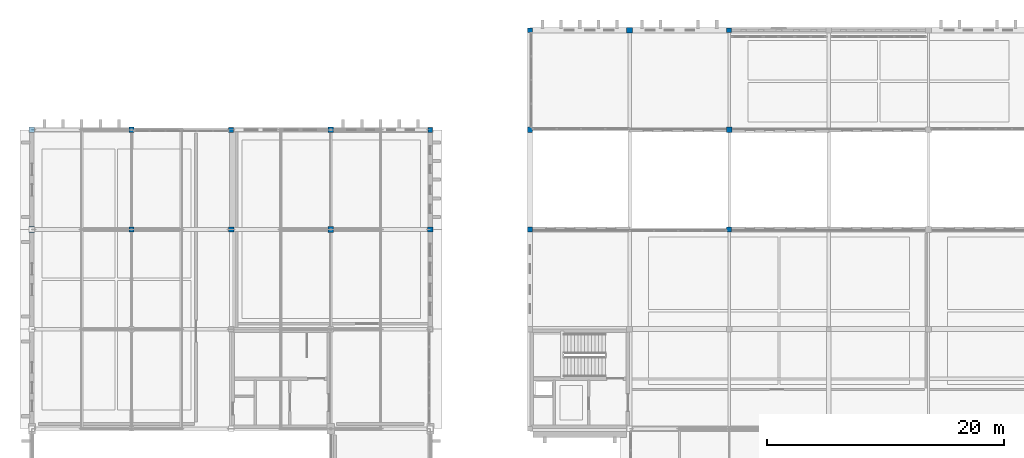
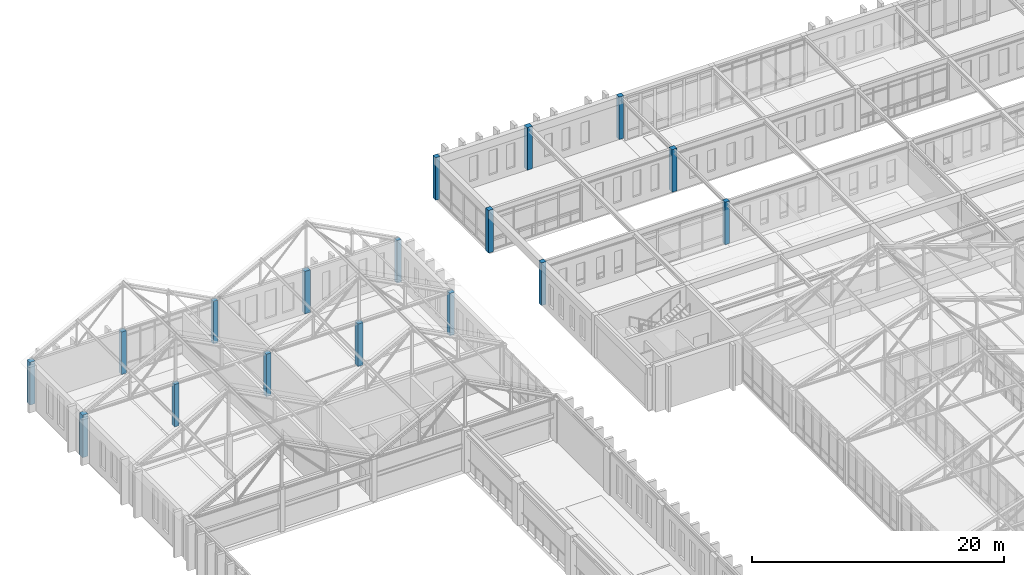
# One storey, part 10 of 192: 17 columns.
"""IFC4 building model written with IfcOpenShell, lengths in metres."""

import ifcopenshell
import ifcopenshell.guid

model = None  # the IFC model being written
_history = None  # IfcOwnerHistory: only IFC2X3 demands one
_inside = {}  # id of a spatial element -> (the spatial element, [elements in it])
_under = {}  # id of a project, library or spatial element -> (it, [spatial elements below it])
_declared = {}  # id of a project -> (the project, [libraries it declares])
_typed = {}  # id of a type object -> (the type object, [elements of that type])
_made_of = {}  # id of a material, layer set ... -> (it, [elements and type objects made of it])


def new_model(schema):
    """Start an empty IFC model of exactly this schema.

    Asked for "IFC4X3", IfcOpenShell would pick the latest addendum, in which some entities
    have other attributes; the version numbers below select the first issue.
    IFC2X3 requires an IfcOwnerHistory on every rooted entity: one is made here for all.
    """
    global model, _history
    if schema == "IFC4X3":
        model = ifcopenshell.file(schema_version=(4, 3, 0, 0))
    else:
        model = ifcopenshell.file(schema=schema)
    _inside.clear()
    _under.clear()
    _declared.clear()
    _typed.clear()
    _made_of.clear()
    _history = None
    if model.schema == "IFC2X3":
        org = make("IfcOrganization", Name="unknown")
        user = make(
            "IfcPersonAndOrganization",
            ThePerson=make("IfcPerson", FamilyName="unknown"),
            TheOrganization=org,
        )
        app = make(
            "IfcApplication",
            ApplicationDeveloper=org,
            Version="unknown",
            ApplicationFullName="unknown",
            ApplicationIdentifier="unknown",
        )
        _history = make(
            "IfcOwnerHistory",
            OwningUser=user,
            OwningApplication=app,
            ChangeAction="ADDED",
            CreationDate=0,
        )
    return model


def make(cls, **values):
    """One entity of the class cls with the attributes given. An attribute that is None is left unset."""
    return model.create_entity(
        cls, **{name: value for name, value in values.items() if value is not None}
    )


def rooted(cls, **values):
    """An entity with a GlobalId (a new one), such as an element, a storey or a relation."""
    return make(cls, GlobalId=ifcopenshell.guid.new(), OwnerHistory=_history, **values)


def si_unit(unit_type, name, prefix=None):
    """IfcSIUnit, for example si_unit("LENGTHUNIT", "METRE", prefix="MILLI")."""
    return make("IfcSIUnit", UnitType=unit_type, Prefix=prefix, Name=name)


def assignment(units):
    """IfcUnitAssignment: the units of a project."""
    return None if units is None else make("IfcUnitAssignment", Units=units)


def point(xyz):
    """IfcCartesianPoint."""
    return None if xyz is None else make("IfcCartesianPoint", Coordinates=xyz)


def direction(xyz):
    """IfcDirection."""
    return None if xyz is None else make("IfcDirection", DirectionRatios=xyz)


def frame(location, z_axis=None, x_axis=None):
    """IfcAxis2Placement3D, a coordinate frame: its origin and axes. An axis left out is left unset."""
    return make(
        "IfcAxis2Placement3D",
        Location=point(location),
        Axis=direction(z_axis),
        RefDirection=direction(x_axis),
    )


def frame_2d(location, x_axis=None):
    """IfcAxis2Placement2D, a coordinate frame in the plane: its origin and x axis."""
    return make(
        "IfcAxis2Placement2D", Location=point(location), RefDirection=direction(x_axis)
    )


def origin():
    """The frame at (0, 0, 0) with its axes left unset."""
    return frame((0.0, 0.0, 0.0))


def origin_2d():
    """The frame at (0, 0) in the plane with its x axis left unset."""
    return frame_2d((0.0, 0.0))


def place(relative_to, where):
    """IfcLocalPlacement: puts the frame where relative to a parent placement (None: the world)."""
    return make(
        "IfcLocalPlacement", PlacementRelTo=relative_to, RelativePlacement=where
    )


def context(
    kind, dimensions, precision=None, world=None, true_north=None, identifier=None
):
    """IfcGeometricRepresentationContext, for example the 3D "Model" context."""
    return make(
        "IfcGeometricRepresentationContext",
        ContextIdentifier=identifier,
        ContextType=kind,
        CoordinateSpaceDimension=dimensions,
        Precision=precision,
        WorldCoordinateSystem=world,
        TrueNorth=true_north,
    )


def subcontext(parent, identifier, kind, view, scale=None):
    """IfcGeometricRepresentationSubContext, for example "Body" below "Model"."""
    return make(
        "IfcGeometricRepresentationSubContext",
        ContextIdentifier=identifier,
        ContextType=kind,
        ParentContext=parent,
        TargetScale=scale,
        TargetView=view,
    )


def project(units=None, contexts=None):
    """IfcProject with its units and contexts."""
    return rooted(
        "IfcProject",
        Name="project",
        RepresentationContexts=contexts,
        UnitsInContext=assignment(units),
    )


def spatial(cls, under=None, at=None, **own):
    """A site, building, storey or space (cls), placed at a placement, below another one or the project."""
    s = rooted(cls, ObjectPlacement=at, **own)
    if under is not None:
        _under.setdefault(under.id(), (under, []))[1].append(s)
    return s


def profile(cls, at=None, kind="AREA", **sizes):
    """A parametric profile (cls). Its sizes go by their IFC names, for example OverallWidth=200.0."""
    return make(cls, ProfileType=kind, Position=at, **sizes)


def rectangle(**sizes):
    """IfcRectangleProfileDef."""
    return profile("IfcRectangleProfileDef", **sizes)


def extrude(swept, where, along, depth):
    """IfcExtrudedAreaSolid: the profile swept, set in the frame where, extruded along a direction by depth."""
    return make(
        "IfcExtrudedAreaSolid",
        SweptArea=swept,
        Position=where,
        ExtrudedDirection=direction(along),
        Depth=depth,
    )


def shape(context_of_items, identifier, shape_type, items):
    """IfcShapeRepresentation: the items that make up one representation, for example the "Body"."""
    return make(
        "IfcShapeRepresentation",
        ContextOfItems=context_of_items,
        RepresentationIdentifier=identifier,
        RepresentationType=shape_type,
        Items=items,
    )


def material(Name=None, Category=None):
    """IfcMaterial."""
    return make("IfcMaterial", Name=Name, Category=Category)


def material_profile(
    of_material, cross_section, Name=None, Category=None, Priority=None
):
    """IfcMaterialProfile: a cross section and its material."""
    return make(
        "IfcMaterialProfile",
        Name=Name,
        Material=of_material,
        Profile=cross_section,
        Priority=Priority,
        Category=Category,
    )


def profile_set(profiles, Name=None, composite=None):
    """IfcMaterialProfileSet."""
    return make(
        "IfcMaterialProfileSet",
        Name=Name,
        MaterialProfiles=profiles,
        CompositeProfile=composite,
    )


def made_of(thing, what):
    """Note that an element or type object is made of a material, layer set ...; save() writes the relation."""
    if what is not None:
        _made_of.setdefault(what.id(), (what, []))[1].append(thing)
    return thing


def type_object(cls, material=None, **own):
    """A type object (cls), such as IfcWallType, which elements share."""
    return made_of(rooted(cls, **own), material)


def element(
    cls,
    number,
    at=None,
    inside=None,
    cuts=None,
    type_object=None,
    material=None,
    context=None,
    identifier="Body",
    shape_type=None,
    held_by="IfcProductDefinitionShape",
    body=None,
    shapes=None,
    **own,
):
    """One element of the class cls, such as IfcWall. Its Tag is "e" and its number.

    at: its placement. inside: the storey or other place that contains it. cuts: it is an
    opening in that element (IfcRelVoidsElement). A single representation is given by context,
    identifier, shape_type and body (its items); several are given by shapes. held_by: the class
    of the entity that holds the representations. save() writes the other relations.
    """
    e = rooted(cls, Tag="e%d" % number, ObjectPlacement=at, **own)
    if body is not None:
        shapes = [shape(context, identifier, shape_type, body)]
    if shapes is not None:
        e.Representation = make(held_by, Representations=shapes)
    if inside is not None:
        _inside.setdefault(inside.id(), (inside, []))[1].append(e)
    if cuts is not None:
        rooted(
            "IfcRelVoidsElement", RelatingBuildingElement=cuts, RelatedOpeningElement=e
        )
    if type_object is not None:
        _typed.setdefault(type_object.id(), (type_object, []))[1].append(e)
    return made_of(e, material)


def aggregate(whole, parts):
    """IfcRelAggregates: a whole, such as a stair, and the parts it consists of."""
    return rooted("IfcRelAggregates", RelatingObject=whole, RelatedObjects=parts)


def save(model, path):
    """Write the relations noted so far, then the file.

    IfcRelAggregates (storeys below a building ...), IfcRelContainedInSpatialStructure (elements
    in a storey), IfcRelDefinesByType, IfcRelAssociatesMaterial and IfcRelDeclares: one each for
    every whole, place, type object, material and project.
    """
    for whole, parts in _under.values():
        aggregate(whole, parts)
    for where, things in _inside.values():
        rooted(
            "IfcRelContainedInSpatialStructure",
            RelatedElements=things,
            RelatingStructure=where,
        )
    for kind, things in _typed.values():
        rooted("IfcRelDefinesByType", RelatedObjects=things, RelatingType=kind)
    for what, things in _made_of.values():
        rooted("IfcRelAssociatesMaterial", RelatedObjects=things, RelatingMaterial=what)
    for by, libraries in _declared.values():
        rooted("IfcRelDeclares", RelatingContext=by, RelatedDefinitions=libraries)
    model.write(path)


model = new_model("IFC4")

# Units and contexts
model_context = context("Model", 3, precision=1e-05, world=origin(), true_north=direction((0.0, 1.0)))
body_context = subcontext(model_context, "Body", "Model", "MODEL_VIEW")
ifc_project = project(units=[si_unit("LENGTHUNIT", "METRE"), si_unit("AREAUNIT", "SQUARE_METRE"), si_unit("VOLUMEUNIT", "CUBIC_METRE"), si_unit("PLANEANGLEUNIT", "RADIAN"), si_unit("MASSUNIT", "GRAM", prefix="KILO")], contexts=[model_context])

# Site, building, storey
site_placement = place(None, origin())
site = spatial("IfcSite", under=ifc_project, at=site_placement, CompositionType="ELEMENT")
building_placement = place(site_placement, origin())
building = spatial("IfcBuilding", under=site, at=building_placement, Name="Kveldsbrygga Polytechnic", CompositionType="ELEMENT")
storey_placement = place(building_placement, frame((0.0, 0.0, 5.43994140625)))
storey = spatial("IfcBuildingStorey", under=building, at=storey_placement, Name="L01", CompositionType="ELEMENT", Elevation=5.43994140625)

# Columns
ifc_material = material(Name="Concrete C45/55", Category="concrete")
ifc_material_profile_1 = material_profile(ifc_material, rectangle(XDim=0.39990234375, YDim=0.39990234375, at=origin_2d()), Name="RC 400x400")
ifc_profile_set_1 = profile_set([ifc_material_profile_1], Name="Concrete C45/55")
column_type_1 = type_object("IfcColumnType", Name="COL-RC-400", PredefinedType="COLUMN", material=ifc_profile_set_1)
for number, where, z_axis, x_axis, name in (
    (1, (16.800048828125, 109.199951171875, 0.0), (0.0, 0.0, 1.0), (1.0, 0.0, 0.0), "Column COL-L01-02-13"),
    (2, (33.60009765625, 109.199951171875, 0.0), (0.0, 0.0, 1.0), (1.0, 0.0, 0.0), "Column COL-L01-04-13"),
):
    element("IfcColumn", number, at=place(storey_placement, frame(where, z_axis=z_axis, x_axis=x_axis)), inside=storey, type_object=column_type_1, Name=name, PredefinedType="COLUMN", context=body_context, shape_type="SweptSolid", body=[
        extrude(rectangle(XDim=0.39990234375, YDim=0.39990234375, at=origin_2d()), origin(), (0.0, 0.0, 1.0), 4.1201171875),
    ])
ifc_material_profile_2 = material_profile(ifc_material, rectangle(XDim=0.419921875, YDim=0.419921875, at=origin_2d()), Name="RC 420x420")
ifc_profile_set_2 = profile_set([ifc_material_profile_2], Name="Concrete C45/55")
column_type_2 = type_object("IfcColumnType", Name="COL-RC-420", PredefinedType="COLUMN", material=ifc_profile_set_2)
for number, where, z_axis, x_axis, name in (
    (3, (8.39990234375, 100.800048828125, 0.0), (0.0, 0.0, 1.0), (1.0, 0.0, 0.0), "Column COL-L01-01-12"),
    (4, (42.0, 100.800048828125, 0.0), (0.0, 0.0, 1.0), (1.0, 0.0, 0.0), "Column COL-L01-05-12"),
    (5, (42.0, 117.60009765625, 0.0), (0.0, 0.0, 1.0), (1.0, 0.0, 0.0), "Column COL-L01-05-14"),
    (6, (58.800048828125, 100.800048828125, 0.0), (0.0, 0.0, 1.0), (1.0, 0.0, 0.0), "Column COL-L01-07-12"),
    (7, (58.800048828125, 117.60009765625, 0.0), (0.0, 0.0, 1.0), (1.0, 0.0, 0.0), "Column COL-L01-07-14"),
):
    element("IfcColumn", number, at=place(storey_placement, frame(where, z_axis=z_axis, x_axis=x_axis)), inside=storey, type_object=column_type_2, Name=name, PredefinedType="COLUMN", context=body_context, shape_type="SweptSolid", body=[
        extrude(rectangle(XDim=0.419921875, YDim=0.419921875, at=origin_2d()), origin(), (0.0, 0.0, 1.0), 4.1201171875),
    ])
ifc_material_profile_3 = material_profile(ifc_material, rectangle(XDim=0.449951171875, YDim=0.449951171875, at=origin_2d()), Name="RC 450x450")
ifc_profile_set_3 = profile_set([ifc_material_profile_3], Name="Concrete C45/55")
column_type_3 = type_object("IfcColumnType", Name="COL-RC-450", PredefinedType="COLUMN", material=ifc_profile_set_3)
for number, where, z_axis, x_axis, name in (
    (8, (8.39990234375, 109.199951171875, 0.0), (0.0, 0.0, 1.0), (1.0, 0.0, 0.0), "Column COL-L01-01-13"),
    (9, (16.800048828125, 100.800048828125, 0.0), (0.0, 0.0, 1.0), (1.0, 0.0, 0.0), "Column COL-L01-02-12"),
    (10, (33.60009765625, 100.800048828125, 0.0), (0.0, 0.0, 1.0), (1.0, 0.0, 0.0), "Column COL-L01-04-12"),
    (11, (42.0, 109.199951171875, 0.0), (0.0, 0.0, 1.0), (1.0, 0.0, 0.0), "Column COL-L01-05-13"),
    (12, (58.800048828125, 109.199951171875, 0.0), (0.0, 0.0, 1.0), (1.0, 0.0, 0.0), "Column COL-L01-07-13"),
):
    element("IfcColumn", number, at=place(storey_placement, frame(where, z_axis=z_axis, x_axis=x_axis)), inside=storey, type_object=column_type_3, Name=name, PredefinedType="COLUMN", context=body_context, shape_type="SweptSolid", body=[
        extrude(rectangle(XDim=0.449951171875, YDim=0.449951171875, at=origin_2d()), origin(), (0.0, 0.0, 1.0), 4.1201171875),
    ])
ifc_material_profile_4 = material_profile(ifc_material, rectangle(XDim=0.47998046875, YDim=0.47998046875, at=origin_2d()), Name="RC 480x480")
ifc_profile_set_4 = profile_set([ifc_material_profile_4], Name="Concrete C45/55")
column_type_4 = type_object("IfcColumnType", Name="COL-RC-480", PredefinedType="COLUMN", material=ifc_profile_set_4)
for number, where, z_axis, x_axis, name in (
    (13, (0.0, 100.800048828125, 0.0), (0.0, 0.0, 1.0), (1.0, 0.0, 0.0), "Column COL-L01-00-12"),
    (14, (0.0, 109.199951171875, 0.0), (0.0, 0.0, 1.0), (1.0, 0.0, 0.0), "Column COL-L01-00-13"),
    (15, (25.199951171875, 100.800048828125, 0.0), (0.0, 0.0, 1.0), (1.0, 0.0, 0.0), "Column COL-L01-03-12"),
    (16, (25.199951171875, 109.199951171875, 0.0), (0.0, 0.0, 1.0), (1.0, 0.0, 0.0), "Column COL-L01-03-13"),
    (17, (50.39990234375, 117.60009765625, 0.0), (0.0, 0.0, 1.0), (1.0, 0.0, 0.0), "Column COL-L01-06-14"),
):
    element("IfcColumn", number, at=place(storey_placement, frame(where, z_axis=z_axis, x_axis=x_axis)), inside=storey, type_object=column_type_4, Name=name, PredefinedType="COLUMN", context=body_context, shape_type="SweptSolid", body=[
        extrude(rectangle(XDim=0.47998046875, YDim=0.47998046875, at=origin_2d()), origin(), (0.0, 0.0, 1.0), 4.1201171875),
    ])

save(model, "model.ifc")
